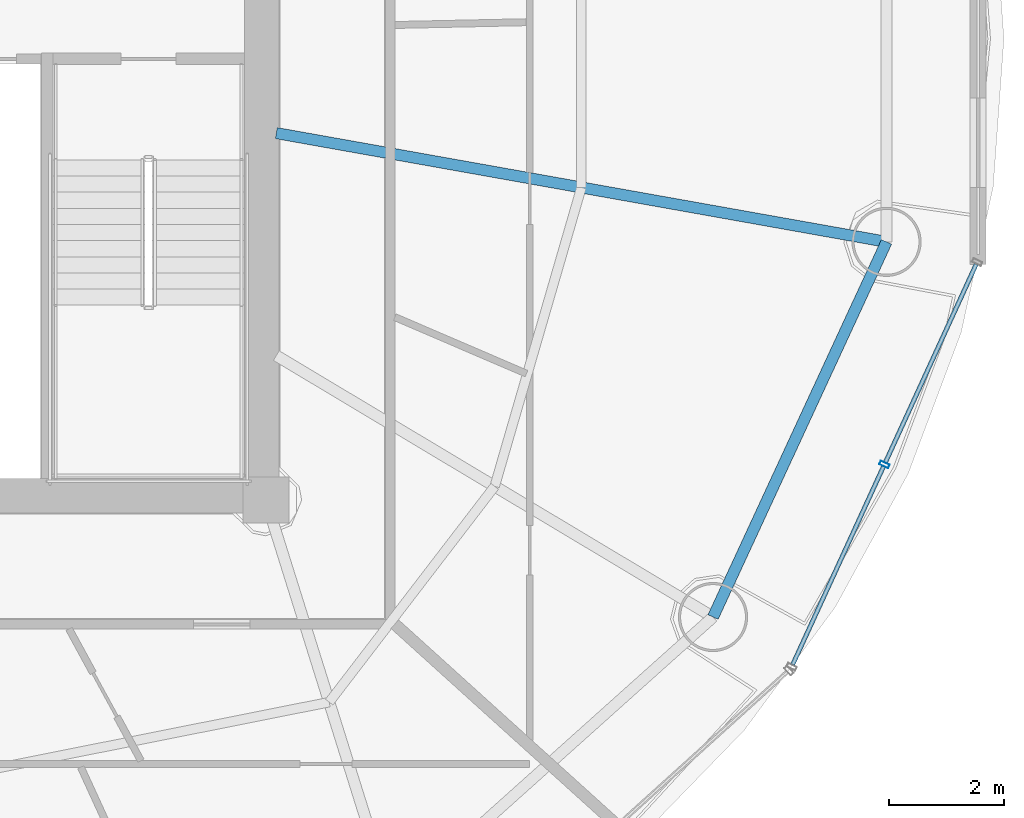
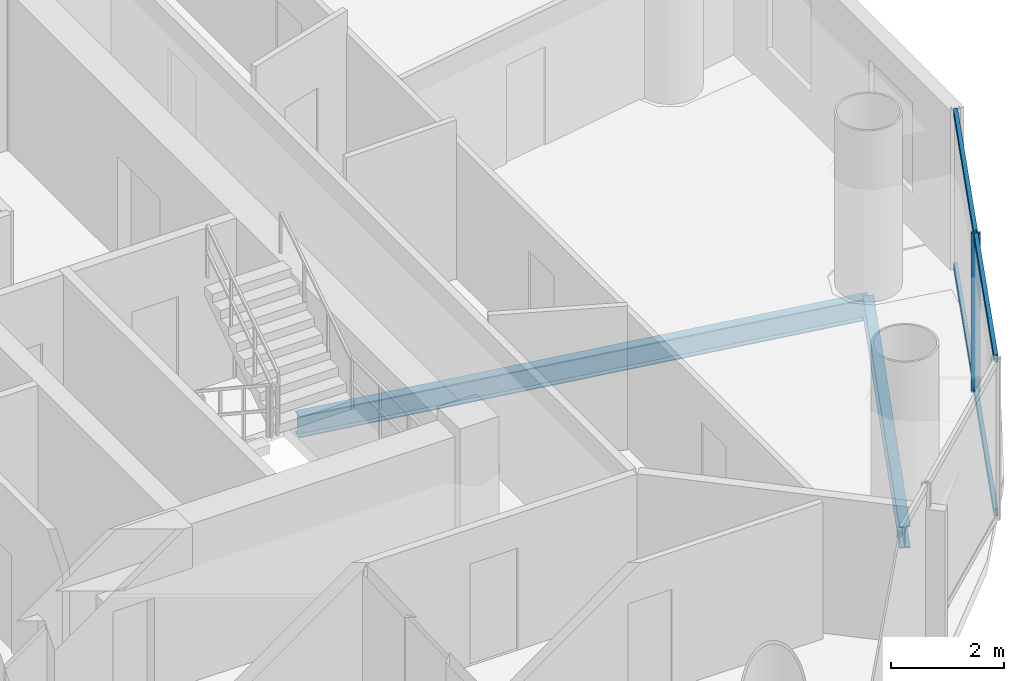
# One storey, part 11 of 26: 5 members, 2 beams, 1 element without a shape of its own.
"""IFC4 building model written with IfcOpenShell, lengths in metres."""

from ifc_helpers import new_model, si_unit, direction, frame, origin, origin_2d, place, context, subcontext, project, spatial, hollow_rectangle, i_section, extrude, source, transform, mapped, material, material_profile, profile_set, type_object, element, aggregate, save


model = new_model("IFC4")

# Units and contexts
model_context = context("Model", 3, precision=1e-05, world=origin(), true_north=direction((-0.2419218956, 0.970295726276)))
body_context = subcontext(model_context, "Body", "Model", "MODEL_VIEW")
ifc_project = project(units=[si_unit("LENGTHUNIT", "METRE"), si_unit("AREAUNIT", "SQUARE_METRE"), si_unit("VOLUMEUNIT", "CUBIC_METRE"), si_unit("PLANEANGLEUNIT", "RADIAN"), si_unit("MASSUNIT", "GRAM", prefix="KILO")], contexts=[model_context])

# Site, building, storey
site_placement = place(None, origin())
site = spatial("IfcSite", under=ifc_project, at=site_placement, CompositionType="ELEMENT")
building_placement = place(site_placement, origin())
building = spatial("IfcBuilding", under=site, at=building_placement, Name="Cobrevalo Terracotta Tower", CompositionType="ELEMENT")
storey_placement = place(building_placement, frame((0.0, 0.0, 206.0)))
storey = spatial("IfcBuildingStorey", under=building, at=storey_placement, Name="L54", CompositionType="ELEMENT", Elevation=206.0)

# Beams
ifc_material_1 = material(Name="Steel S355", Category="steel")
ifc_material_profile_1 = material_profile(ifc_material_1, i_section(OverallWidth=0.194091796875, OverallDepth=0.468994140625, WebThickness=0.011474609375, FlangeThickness=0.0205078125, at=origin_2d()), Name="W 460x106")
ifc_profile_set_1 = profile_set([ifc_material_profile_1], Name="Steel S355")
beam_type_1 = type_object("IfcBeamType", Name="Structural Beam W 460x106 (Steel S355)", PredefinedType="BEAM", material=ifc_profile_set_1)
beam_1_placement = place(storey_placement, frame((57.762939453125, 23.278564453125, -0.49951171875), z_axis=(-0.984493198547, 0.175422752274, 0.0), x_axis=(-0.175422752274, -0.984493198547, 0.0)))
element("IfcBeam", 1, at=beam_1_placement, inside=storey, type_object=beam_type_1, Name="L54 radial floor girder 16", PredefinedType="BEAM", context=body_context, shape_type="SweptSolid", body=[
    extrude(i_section(OverallWidth=0.194091796875, OverallDepth=0.468994140625, WebThickness=0.011474609375, FlangeThickness=0.0205078125, at=origin_2d()), origin(), (0.0, 0.0, 1.0), 10.749755859375),
])
ifc_material_profile_2 = material_profile(ifc_material_1, i_section(OverallWidth=0.194091796875, OverallDepth=0.468994140625, WebThickness=0.011474609375, FlangeThickness=0.0205078125, at=origin_2d()), Name="W 460x106")
ifc_profile_set_2 = profile_set([ifc_material_profile_2], Name="Steel S355")
beam_type_2 = type_object("IfcBeamType", Name="Structural Spandrel W 460x106 (Steel S355)", PredefinedType="SPANDREL", material=ifc_profile_set_2)
beam_2_placement = place(storey_placement, frame((54.754150390625, 16.77197265625, -0.49951171875), z_axis=(0.419718939129, 0.90765412583, 0.0), x_axis=(-0.90765412583, 0.419718939129, 0.0)))
element("IfcBeam", 2, at=beam_2_placement, inside=storey, type_object=beam_type_2, Name="L54 perimeter ring spandrel 15", PredefinedType="SPANDREL", context=body_context, shape_type="SweptSolid", body=[
    extrude(i_section(OverallWidth=0.194091796875, OverallDepth=0.468994140625, WebThickness=0.011474609375, FlangeThickness=0.0205078125, at=origin_2d()), origin(), (0.0, 0.0, 1.0), 7.168701171875),
])

# Curtain wall, members
ifc_material_2 = material(Name="Anodized aluminium", Category="aluminium")
curtain_wall_type = type_object("IfcCurtainWallType", Name="Mid-tower high-wind unitised curtain wall CW-U2", PredefinedType="NOTDEFINED", material=ifc_material_2)
curtain_wall_placement = place(storey_placement, origin())
curtain_wall = element("IfcCurtainWall", 3, at=curtain_wall_placement, inside=storey, type_object=curtain_wall_type, Name="L54 curtain wall CW-L54-S15", PredefinedType="NOTDEFINED")
ifc_material_profile_3 = material_profile(ifc_material_2, hollow_rectangle(XDim=0.074951171875, YDim=0.14990234375, WallThickness=0.00439453125, at=origin_2d()), Name="CWT 75x150")
ifc_profile_set_3 = profile_set([ifc_material_profile_3], Name="Anodized aluminium")
member_type_1 = type_object("IfcMemberType", Name="Tower unitised aluminium transom 75x150", PredefinedType="USERDEFINED", material=ifc_profile_set_3)
shared_shape_1 = source(origin(), body_context, "Body", "SweptSolid", [
    extrude(hollow_rectangle(XDim=0.074951171875, YDim=0.14990234375, WallThickness=0.00439453125, at=origin_2d()), origin(), (0.0, 0.0, 1.0), 3.780029296875),
])
member_1_placement = place(storey_placement, frame((56.134521484375, 15.944580078125, 0.050048828125), z_axis=(0.416705859352, 0.909041377926, 0.0), x_axis=(-0.909041377926, 0.416705859352, 0.0)))
member_1 = element("IfcMember", 4, at=member_1_placement, type_object=member_type_1, Name="CW-L54-S15 transom B01-T1", ObjectType="TRANSOM", PredefinedType="USERDEFINED", context=body_context, shape_type="MappedRepresentation", body=[
    mapped(shared_shape_1, transform((0.0, 0.0, 0.0), scale=1.0)),
])
member_2_placement = place(storey_placement, frame((56.134521484375, 15.944580078125, 3.385009765625), z_axis=(0.416705859352, 0.909041377926, 0.0), x_axis=(-0.909041377926, 0.416705859352, 0.0)))
member_2 = element("IfcMember", 5, at=member_2_placement, type_object=member_type_1, Name="CW-L54-S15 transom B01-T2", ObjectType="TRANSOM", PredefinedType="USERDEFINED", context=body_context, shape_type="MappedRepresentation", body=[
    mapped(shared_shape_1, transform((0.0, 0.0, 0.0), scale=1.0)),
])
member_3_placement = place(storey_placement, frame((57.7431640625, 19.45361328125, 0.050048828125), z_axis=(0.416705859352, 0.909041377926, 0.0), x_axis=(-0.909041377926, 0.416705859352, 0.0)))
member_3 = element("IfcMember", 6, at=member_3_placement, type_object=member_type_1, Name="CW-L54-S15 transom B02-T1", ObjectType="TRANSOM", PredefinedType="USERDEFINED", context=body_context, shape_type="MappedRepresentation", body=[
    mapped(shared_shape_1, transform((0.0, 0.0, 0.0), scale=1.0)),
])
member_4_placement = place(storey_placement, frame((57.7431640625, 19.45361328125, 3.385009765625), z_axis=(0.416705859352, 0.909041377926, 0.0), x_axis=(-0.909041377926, 0.416705859352, 0.0)))
member_4 = element("IfcMember", 7, at=member_4_placement, type_object=member_type_1, Name="CW-L54-S15 transom B02-T2", ObjectType="TRANSOM", PredefinedType="USERDEFINED", context=body_context, shape_type="MappedRepresentation", body=[
    mapped(shared_shape_1, transform((0.0, 0.0, 0.0), scale=1.0)),
])
ifc_material_profile_4 = material_profile(ifc_material_2, hollow_rectangle(XDim=0.070068359375, YDim=0.169921875, WallThickness=0.00439453125, at=origin_2d()), Name="CWM 70x170")
ifc_profile_set_4 = profile_set([ifc_material_profile_4], Name="Anodized aluminium")
member_type_2 = type_object("IfcMemberType", Name="Upper tower unitised mullion 70x170", PredefinedType="MULLION", material=ifc_profile_set_4)
shared_shape_2 = source(origin(), body_context, "Body", "SweptSolid", [
    extrude(hollow_rectangle(XDim=0.070068359375, YDim=0.169921875, WallThickness=0.00439453125, at=origin_2d()), origin(), (0.0, 0.0, 1.0), 3.43505859375),
])
member_5_placement = place(storey_placement, frame((57.726318359375, 19.417236328125, 0.0), z_axis=(0.0, 0.0, 1.0), x_axis=(0.41672507912, 0.909032567311, 0.0)))
member_5 = element("IfcMember", 8, at=member_5_placement, type_object=member_type_2, Name="CW-L54-S15 vertical mullion 02", PredefinedType="MULLION", context=body_context, shape_type="MappedRepresentation", body=[
    mapped(shared_shape_2, transform((0.0, 0.0, 0.0), scale=1.0)),
])
aggregate(curtain_wall, [member_5, member_1, member_2, member_3, member_4])

save(model, "model.ifc")
